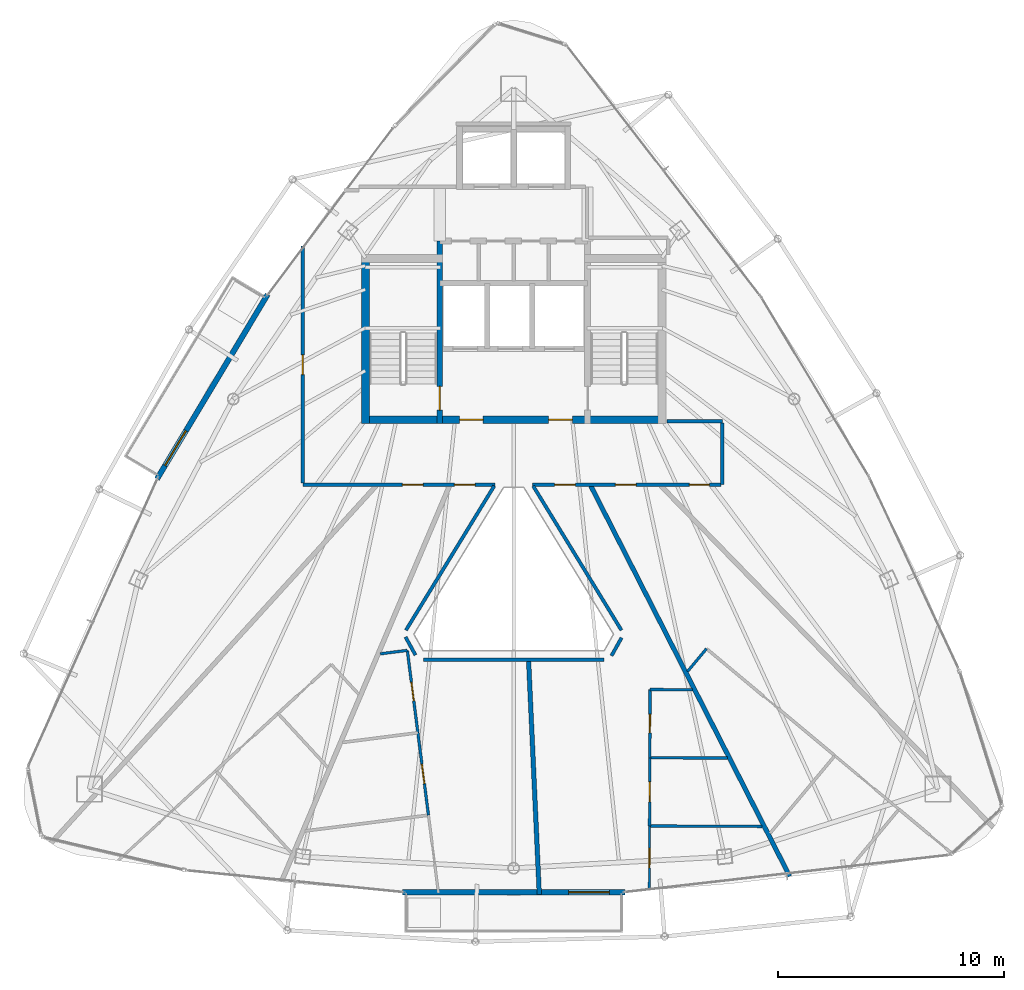
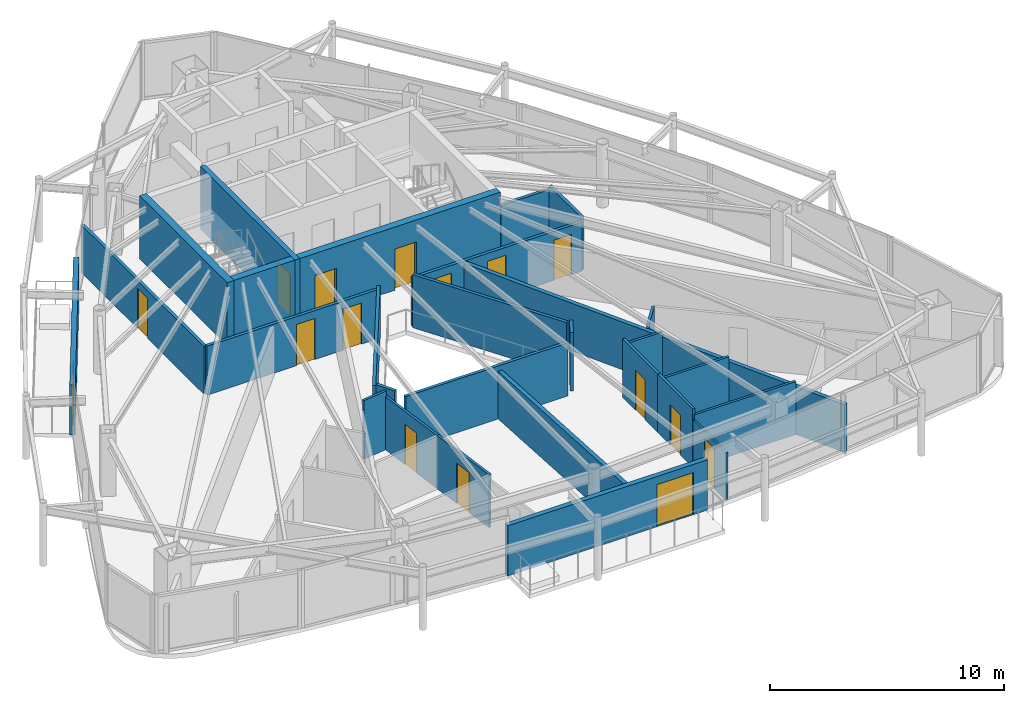
# One storey, part 26 of 30: 27 walls, 16 doors, 16 openings.
"""IFC4 building model written with IfcOpenShell, lengths in metres."""

from ifc_helpers import new_model, si_unit, direction, frame, frame_2d, origin, place, context, subcontext, project, spatial, rectangle, extrude, material, layer, layer_set, type_object, element, fill, save


model = new_model("IFC4")

# Units and contexts
model_context = context("Model", 3, precision=1e-05, world=origin(), true_north=direction((0.0, 1.0)))
body_context = subcontext(model_context, "Body", "Model", "MODEL_VIEW")
ifc_project = project(units=[si_unit("LENGTHUNIT", "METRE"), si_unit("AREAUNIT", "SQUARE_METRE"), si_unit("VOLUMEUNIT", "CUBIC_METRE"), si_unit("PLANEANGLEUNIT", "RADIAN"), si_unit("MASSUNIT", "GRAM", prefix="KILO")], contexts=[model_context])

# Site, building, storey
site_placement = place(None, origin())
site = spatial("IfcSite", under=ifc_project, at=site_placement, CompositionType="ELEMENT")
building_placement = place(site_placement, origin())
building = spatial("IfcBuilding", under=site, at=building_placement, Name="Orvanel Arch Residences", CompositionType="ELEMENT")
storey_placement = place(building_placement, frame((0.0, 0.0, 270.050048828125)))
storey = spatial("IfcBuildingStorey", under=building, at=storey_placement, Name="L77", CompositionType="ELEMENT", Elevation=270.050048828125)

# Wall, opening, door
ifc_material_1 = material(Name="Precast concrete N50 (50 MPa)", Category="concrete")
ifc_layer_1 = layer(ifc_material_1, 0.239990234375)
ifc_layer_set_1 = layer_set([ifc_layer_1], Name="Precast concrete N50 (50 MPa)")
wall_type_1 = type_object("IfcWallType", Name="EW-BAL-240", PredefinedType="SOLIDWALL", material=ifc_layer_set_1)
wall_1_placement = place(storey_placement, frame((22.093994140625, 32.279052734375, 0.0), z_axis=(0.0, 0.0, 1.0), x_axis=(-0.514303866757, -0.857608029719, 0.0)))
wall_1 = element("IfcWall", 1, at=wall_1_placement, inside=storey, type_object=wall_type_1, Name="L77 Balcony Threshold Wall Face 1", PredefinedType="SOLIDWALL", context=body_context, shape_type="SweptSolid", body=[
    extrude(rectangle(XDim=9.54296875, YDim=0.239990234375, at=frame_2d((4.771484375, 0.0))), origin(), (0.0, 0.0, 1.0), 2.6240234375),
])
opening_1_placement = place(wall_1_placement, frame((7.044921875, 0.0, 0.0)))
opening_1 = element("IfcOpeningElement", 2, at=opening_1_placement, cuts=wall_1, Name="Opening DB-180", PredefinedType="OPENING", context=body_context, shape_type="SweptSolid", body=[
    extrude(rectangle(XDim=1.800048828125, YDim=2.199951171875, at=frame_2d((0.89990234375, 1.10009765625))), frame((0.0, 0.1298828125, 0.0), z_axis=(0.0, -1.0, 0.0), x_axis=(1.0, 0.0, 0.0)), (0.0, 0.0, 1.0), 0.260009765625),
])
ifc_material_2 = material(Name="Bronze-anodised aluminium AA6063-T6", Category="aluminium")
door_type_1 = type_object("IfcDoorType", Name="DR-BAL-1800", OperationType="NOTDEFINED", PredefinedType="DOOR", material=ifc_material_2)
door_1_placement = place(opening_1_placement, origin())
door_1 = element("IfcDoor", 3, at=door_1_placement, inside=storey, type_object=door_type_1, Name="DR-L77-BAL-F1 L77 Planted Balcony Access Door Face 1", OperationType="SINGLE_SWING_LEFT", OverallHeight=2.199951171875, OverallWidth=1.800048828125, PredefinedType="DOOR", context=body_context, shape_type="SweptSolid", body=[
    extrude(rectangle(XDim=1.800048828125, YDim=2.199951171875, at=frame_2d((0.89990234375, 1.10009765625))), frame((0.0, 0.02490234375, 0.0), z_axis=(0.0, -1.0, 0.0), x_axis=(1.0, 0.0, 0.0)), (0.0, 0.0, 1.0), 0.050048828125),
])
fill(opening_1, door_1)

wall_2_placement = place(storey_placement, frame((28.06201171875, 5.77392578125, 0.0), z_axis=(0.0, 0.0, 1.0), x_axis=(1.0, 0.0, 0.0)))
wall_2 = element("IfcWall", 4, at=wall_2_placement, inside=storey, type_object=wall_type_1, Name="L77 Balcony Threshold Wall Face 2", PredefinedType="SOLIDWALL", context=body_context, shape_type="SweptSolid", body=[
    extrude(rectangle(XDim=9.8759765625, YDim=0.239990234375, at=frame_2d((4.93798828125, 0.0))), origin(), (0.0, 0.0, 1.0), 2.6240234375),
])
opening_2_placement = place(wall_2_placement, frame((7.37890625, 0.0, 0.0)))
opening_2 = element("IfcOpeningElement", 5, at=opening_2_placement, cuts=wall_2, Name="Opening DB-180", PredefinedType="OPENING", context=body_context, shape_type="SweptSolid", body=[
    extrude(rectangle(XDim=1.800048828125, YDim=2.199951171875, at=frame_2d((0.89990234375, 1.10009765625))), frame((0.0, 0.1298828125, 0.0), z_axis=(0.0, -1.0, 0.0), x_axis=(1.0, 0.0, 0.0)), (0.0, 0.0, 1.0), 0.260009765625),
])
door_2_placement = place(opening_2_placement, origin())
door_2 = element("IfcDoor", 6, at=door_2_placement, inside=storey, type_object=door_type_1, Name="DR-L77-BAL-F2 L77 Planted Balcony Access Door Face 2", OperationType="SINGLE_SWING_RIGHT", OverallHeight=2.199951171875, OverallWidth=1.800048828125, PredefinedType="DOOR", context=body_context, shape_type="SweptSolid", body=[
    extrude(rectangle(XDim=1.800048828125, YDim=2.199951171875, at=frame_2d((0.89990234375, 1.10009765625))), frame((0.0, 0.02490234375, 0.0), z_axis=(0.0, -1.0, 0.0), x_axis=(1.0, 0.0, 0.0)), (0.0, 0.0, 1.0), 0.050048828125),
])
fill(opening_2, door_2)

ifc_material_3 = material(Name="Concrete N50 (50 MPa)", Category="concrete")
ifc_layer_2 = layer(ifc_material_3, 0.25)
ifc_layer_set_2 = layer_set([ifc_layer_2], Name="Concrete N50 (50 MPa)")
wall_type_2 = type_object("IfcWallType", Name="SW-CORE-250", PredefinedType="SHEAR", material=ifc_layer_set_2)
wall_3_placement = place(storey_placement, frame((29.72509765625, 26.550048828125, 0.0), z_axis=(0.0, 0.0, 1.0), x_axis=(0.0, 1.0, 0.0)))
wall_3 = element("IfcWall", 7, at=wall_3_placement, inside=storey, type_object=wall_type_2, Name="L77 West Inner Core Spine Shear Wall", PredefinedType="SHEAR", context=body_context, shape_type="SweptSolid", body=[
    extrude(rectangle(XDim=8.099853515625, YDim=0.25, at=frame_2d((4.0498046875, 0.0))), origin(), (0.0, 0.0, 1.0), 3.300048828125),
])
opening_3_placement = place(wall_3_placement, frame((0.60009765625, 0.0, 0.0)))
opening_3 = element("IfcOpeningElement", 8, at=opening_3_placement, cuts=wall_3, Name="Opening DF-120", PredefinedType="OPENING", context=body_context, shape_type="SweptSolid", body=[
    extrude(rectangle(XDim=1.050048828125, YDim=2.14990234375, at=frame_2d((0.52490234375, 1.074951171875))), frame((0.0, 0.135009765625, 0.0), z_axis=(0.0, -1.0, 0.0), x_axis=(1.0, 0.0, 0.0)), (0.0, 0.0, 1.0), 0.27001953125),
])
ifc_material_4 = material(Name="Galvanised steel fire-resisting door assembly", Category="steel")
door_type_2 = type_object("IfcDoorType", Name="DR-FD120-1050", OperationType="NOTDEFINED", PredefinedType="DOOR", material=ifc_material_4)
door_3_placement = place(opening_3_placement, origin())
door_3 = element("IfcDoor", 9, at=door_3_placement, inside=storey, type_object=door_type_2, Name="DR-L77-ST1 L77 Stair 1 Fire Door", OperationType="SINGLE_SWING_LEFT", OverallHeight=2.14990234375, OverallWidth=1.050048828125, PredefinedType="DOOR", context=body_context, shape_type="SweptSolid", body=[
    extrude(rectangle(XDim=1.050048828125, YDim=2.14990234375, at=frame_2d((0.52490234375, 1.074951171875))), frame((0.0, 0.02490234375, 0.0), z_axis=(0.0, -1.0, 0.0), x_axis=(1.0, 0.0, 0.0)), (0.0, 0.0, 1.0), 0.050048828125),
])
fill(opening_3, door_3)

# Wall, openings, doors
ifc_layer_3 = layer(ifc_material_3, 0.35009765625)
ifc_layer_set_3 = layer_set([ifc_layer_3], Name="Concrete N50 (50 MPa)")
wall_type_3 = type_object("IfcWallType", Name="SW-CORE-350", PredefinedType="SHEAR", material=ifc_layer_set_3)
wall_4_placement = place(storey_placement, frame((26.25, 26.72509765625, 0.0), z_axis=(0.0, 0.0, 1.0), x_axis=(1.0, 0.0, 0.0)))
wall_4 = element("IfcWall", 10, at=wall_4_placement, inside=storey, type_object=wall_type_3, Name="L77 South Core Shear Wall", PredefinedType="SHEAR", context=body_context, shape_type="SweptSolid", body=[
    extrude(rectangle(XDim=13.5, YDim=0.35009765625, at=frame_2d((6.75, 0.0))), origin(), (0.0, 0.0, 1.0), 3.300048828125),
])
opening_4_placement = place(wall_4_placement, frame((4.35009765625, 0.0, 0.0)))
opening_4 = element("IfcOpeningElement", 11, at=opening_4_placement, cuts=wall_4, Name="Opening DF-060", PredefinedType="OPENING", context=body_context, shape_type="SweptSolid", body=[
    extrude(rectangle(XDim=1.050048828125, YDim=2.14990234375, at=frame_2d((0.52490234375, 1.074951171875))), frame((0.0, 0.18505859375, 0.0), z_axis=(0.0, -1.0, 0.0), x_axis=(1.0, 0.0, 0.0)), (0.0, 0.0, 1.0), 0.3701171875),
])
opening_5_placement = place(wall_4_placement, frame((8.300048828125, 0.0, 0.0)))
opening_5 = element("IfcOpeningElement", 12, at=opening_5_placement, cuts=wall_4, Name="Opening DF-060", PredefinedType="OPENING", context=body_context, shape_type="SweptSolid", body=[
    extrude(rectangle(XDim=1.050048828125, YDim=2.14990234375, at=frame_2d((0.52490234375, 1.074951171875))), frame((0.0, 0.18505859375, 0.0), z_axis=(0.0, -1.0, 0.0), x_axis=(1.0, 0.0, 0.0)), (0.0, 0.0, 1.0), 0.3701171875),
])
door_type_3 = type_object("IfcDoorType", Name="DR-FD60-1050", OperationType="NOTDEFINED", PredefinedType="DOOR", material=ifc_material_4)
door_4_placement = place(opening_4_placement, origin())
door_4 = element("IfcDoor", 13, at=door_4_placement, inside=storey, type_object=door_type_3, Name="DR-L77-FFL-W L77 West Smoke Lobby Door", OperationType="SINGLE_SWING_LEFT", OverallHeight=2.14990234375, OverallWidth=1.050048828125, PredefinedType="DOOR", context=body_context, shape_type="SweptSolid", body=[
    extrude(rectangle(XDim=1.050048828125, YDim=2.14990234375, at=frame_2d((0.52490234375, 1.074951171875))), frame((0.0, 0.02490234375, 0.0), z_axis=(0.0, -1.0, 0.0), x_axis=(1.0, 0.0, 0.0)), (0.0, 0.0, 1.0), 0.050048828125),
])
fill(opening_4, door_4)
door_5_placement = place(opening_5_placement, origin())
door_5 = element("IfcDoor", 14, at=door_5_placement, inside=storey, type_object=door_type_3, Name="DR-L77-FFL-E L77 East Smoke Lobby Door", OperationType="SINGLE_SWING_RIGHT", OverallHeight=2.14990234375, OverallWidth=1.050048828125, PredefinedType="DOOR", context=body_context, shape_type="SweptSolid", body=[
    extrude(rectangle(XDim=1.050048828125, YDim=2.14990234375, at=frame_2d((0.52490234375, 1.074951171875))), frame((0.0, 0.02490234375, 0.0), z_axis=(0.0, -1.0, 0.0), x_axis=(1.0, 0.0, 0.0)), (0.0, 0.0, 1.0), 0.050048828125),
])
fill(opening_5, door_5)

# Wall
wall_5_placement = place(storey_placement, frame((26.425048828125, 26.550048828125, 0.0), z_axis=(0.0, 0.0, 1.0), x_axis=(0.0, 1.0, 0.0)))
element("IfcWall", 15, at=wall_5_placement, inside=storey, type_object=wall_type_3, Name="L77 West Stair Shear Wall", PredefinedType="SHEAR", context=body_context, shape_type="SweptSolid", body=[
    extrude(rectangle(XDim=7.5, YDim=0.35009765625, at=frame_2d((3.75, 0.0))), origin(), (0.0, 0.0, 1.0), 3.300048828125),
])

# Wall, openings, doors
ifc_material_5 = material(Name="Fire-rated plasterboard lined steel stud partition", Category="steel")
ifc_layer_4 = layer(ifc_material_5, 0.14990234375)
ifc_layer_set_4 = layer_set([ifc_layer_4], Name="Fire-rated plasterboard lined steel stud partition")
wall_type_4 = type_object("IfcWallType", Name="W-COR-150", PredefinedType="PARTITIONING", material=ifc_layer_set_4)
wall_6_placement = place(storey_placement, frame((32.16796875, 23.85009765625, 0.0), z_axis=(0.0, 0.0, 1.0), x_axis=(-1.0, 0.0, 0.0)))
wall_6 = element("IfcWall", 16, at=wall_6_placement, inside=storey, type_object=wall_type_4, Name="L77 Corridor Fire-Rated Partition", PredefinedType="PARTITIONING", context=body_context, shape_type="SweptSolid", body=[
    extrude(rectangle(XDim=8.51806640625, YDim=0.14990234375, at=frame_2d((4.259033203125, 0.0))), origin(), (0.0, 0.0, 1.0), 2.56494140625),
])
opening_6_placement = place(wall_6_placement, frame((3.18310546875, 0.0, 0.0)))
opening_6 = element("IfcOpeningElement", 17, at=opening_6_placement, cuts=wall_6, Name="Opening DA-092", PredefinedType="OPENING", context=body_context, shape_type="SweptSolid", body=[
    extrude(rectangle(XDim=0.919921875, YDim=2.14990234375, at=frame_2d((0.4599609375, 1.074951171875))), frame((0.0, 0.0849609375, 0.0), z_axis=(0.0, -1.0, 0.0), x_axis=(1.0, 0.0, 0.0)), (0.0, 0.0, 1.0), 0.169921875),
])
opening_7_placement = place(wall_6_placement, frame((0.882080078125, 0.0, 0.0)))
opening_7 = element("IfcOpeningElement", 18, at=opening_7_placement, cuts=wall_6, Name="Opening DA-092", PredefinedType="OPENING", context=body_context, shape_type="SweptSolid", body=[
    extrude(rectangle(XDim=0.919921875, YDim=2.14990234375, at=frame_2d((0.4599609375, 1.074951171875))), frame((0.0, 0.0849609375, 0.0), z_axis=(0.0, -1.0, 0.0), x_axis=(1.0, 0.0, 0.0)), (0.0, 0.0, 1.0), 0.169921875),
])
ifc_material_6 = material(Name="Solid-core European oak veneer fire door leaf", Category="wood")
door_type_4 = type_object("IfcDoorType", Name="DR-APT-920", OperationType="NOTDEFINED", PredefinedType="DOOR", material=ifc_material_6)
door_6_placement = place(opening_6_placement, origin())
door_6 = element("IfcDoor", 19, at=door_6_placement, inside=storey, type_object=door_type_4, Name="DR-L77-A-ENT L77 Studio A Entrance Door", OperationType="SINGLE_SWING_RIGHT", OverallHeight=2.14990234375, OverallWidth=0.919921875, PredefinedType="DOOR", context=body_context, shape_type="SweptSolid", body=[
    extrude(rectangle(XDim=0.919921875, YDim=2.14990234375, at=frame_2d((0.4599609375, 1.074951171875))), frame((0.0, 0.02490234375, 0.0), z_axis=(0.0, -1.0, 0.0), x_axis=(1.0, 0.0, 0.0)), (0.0, 0.0, 1.0), 0.050048828125),
])
fill(opening_6, door_6)
door_7_placement = place(opening_7_placement, origin())
door_7 = element("IfcDoor", 20, at=door_7_placement, inside=storey, type_object=door_type_4, Name="DR-L77-D-ENT L77 Studio D Entrance Door", OperationType="SINGLE_SWING_LEFT", OverallHeight=2.14990234375, OverallWidth=0.919921875, PredefinedType="DOOR", context=body_context, shape_type="SweptSolid", body=[
    extrude(rectangle(XDim=0.919921875, YDim=2.14990234375, at=frame_2d((0.4599609375, 1.074951171875))), frame((0.0, 0.02490234375, 0.0), z_axis=(0.0, -1.0, 0.0), x_axis=(1.0, 0.0, 0.0)), (0.0, 0.0, 1.0), 0.050048828125),
])
fill(opening_7, door_7)

# Wall, opening, door
wall_7_placement = place(storey_placement, frame((23.64990234375, 23.909912109375, 0.0), z_axis=(0.0, 0.0, 1.0), x_axis=(0.0, 1.0, 0.0)))
wall_7 = element("IfcWall", 21, at=wall_7_placement, inside=storey, type_object=wall_type_4, Name="L77 Corridor Fire-Rated Partition", PredefinedType="PARTITIONING", context=body_context, shape_type="SweptSolid", body=[
    extrude(rectangle(XDim=10.509033203125, YDim=0.14990234375, at=frame_2d((5.25439453125, 0.0))), origin(), (0.0, 0.0, 1.0), 2.491943359375),
])
opening_8_placement = place(wall_7_placement, frame((4.81396484375, 0.0, 0.0)))
opening_8 = element("IfcOpeningElement", 22, at=opening_8_placement, cuts=wall_7, Name="Opening DI-088", PredefinedType="OPENING", context=body_context, shape_type="SweptSolid", body=[
    extrude(rectangle(XDim=0.8798828125, YDim=2.10009765625, at=frame_2d((0.43994140625, 1.050048828125))), frame((0.0, 0.0849609375, 0.0), z_axis=(0.0, -1.0, 0.0), x_axis=(1.0, 0.0, 0.0)), (0.0, 0.0, 1.0), 0.169921875),
])
door_type_5 = type_object("IfcDoorType", Name="DR-INT-880", OperationType="NOTDEFINED", PredefinedType="DOOR", material=ifc_material_6)
door_8_placement = place(opening_8_placement, origin())
door_8 = element("IfcDoor", 23, at=door_8_placement, inside=storey, type_object=door_type_5, Name="DR-L77-CAR26-2 L77 Allied Health Consulting Suite 2 Door", OperationType="SINGLE_SWING_LEFT", OverallHeight=2.10009765625, OverallWidth=0.8798828125, PredefinedType="DOOR", context=body_context, shape_type="SweptSolid", body=[
    extrude(rectangle(XDim=0.8798828125, YDim=2.10009765625, at=frame_2d((0.43994140625, 1.050048828125))), frame((0.0, 0.02490234375, 0.0), z_axis=(0.0, -1.0, 0.0), x_axis=(1.0, 0.0, 0.0)), (0.0, 0.0, 1.0), 0.050048828125),
])
fill(opening_8, door_8)

# Walls
wall_8_placement = place(storey_placement, frame((39.7900390625, 26.64990234375, 0.0), z_axis=(0.0, 0.0, 1.0), x_axis=(1.0, 0.0, 0.0)))
element("IfcWall", 24, at=wall_8_placement, inside=storey, type_object=wall_type_4, Name="L77 Corridor Fire-Rated Partition", PredefinedType="PARTITIONING", context=body_context, shape_type="SweptSolid", body=[
    extrude(rectangle(XDim=2.4599609375, YDim=0.14990234375, at=frame_2d((1.22998046875, 0.0))), origin(), (0.0, 0.0, 1.0), 2.56494140625),
])
wall_9_placement = place(storey_placement, frame((42.25, 26.590087890625, 0.0), z_axis=(0.0, 0.0, 1.0), x_axis=(0.0, -1.0, 0.0)))
element("IfcWall", 25, at=wall_9_placement, inside=storey, type_object=wall_type_4, Name="L77 Corridor Fire-Rated Partition", PredefinedType="PARTITIONING", context=body_context, shape_type="SweptSolid", body=[
    extrude(rectangle(XDim=2.739990234375, YDim=0.14990234375, at=frame_2d((1.3701171875, 0.0))), origin(), (0.0, 0.0, 1.0), 2.77294921875),
])

# Wall, openings, doors
wall_10_placement = place(storey_placement, frame((42.18994140625, 23.85009765625, 0.0), z_axis=(0.0, 0.0, 1.0), x_axis=(-1.0, 0.0, 0.0)))
wall_10 = element("IfcWall", 26, at=wall_10_placement, inside=storey, type_object=wall_type_4, Name="L77 Corridor Fire-Rated Partition", PredefinedType="PARTITIONING", context=body_context, shape_type="SweptSolid", body=[
    extrude(rectangle(XDim=8.35791015625, YDim=0.14990234375, at=frame_2d((4.178955078125, 0.0))), origin(), (0.0, 0.0, 1.0), 2.56494140625),
])
opening_9_placement = place(wall_10_placement, frame((0.52001953125, 0.0, 0.0)))
opening_9 = element("IfcOpeningElement", 27, at=opening_9_placement, cuts=wall_10, Name="Opening DI-088", PredefinedType="OPENING", context=body_context, shape_type="SweptSolid", body=[
    extrude(rectangle(XDim=0.8798828125, YDim=2.10009765625, at=frame_2d((0.43994140625, 1.050048828125))), frame((0.0, 0.0849609375, 0.0), z_axis=(0.0, -1.0, 0.0), x_axis=(1.0, 0.0, 0.0)), (0.0, 0.0, 1.0), 0.169921875),
])
opening_10_placement = place(wall_10_placement, frame((3.757080078125, 0.0, 0.0)))
opening_10 = element("IfcOpeningElement", 28, at=opening_10_placement, cuts=wall_10, Name="Opening DA-092", PredefinedType="OPENING", context=body_context, shape_type="SweptSolid", body=[
    extrude(rectangle(XDim=0.919921875, YDim=2.14990234375, at=frame_2d((0.4599609375, 1.074951171875))), frame((0.0, 0.0849609375, 0.0), z_axis=(0.0, -1.0, 0.0), x_axis=(1.0, 0.0, 0.0)), (0.0, 0.0, 1.0), 0.169921875),
])
opening_11_placement = place(wall_10_placement, frame((6.4560546875, 0.0, 0.0)))
opening_11 = element("IfcOpeningElement", 29, at=opening_11_placement, cuts=wall_10, Name="Opening DA-092", PredefinedType="OPENING", context=body_context, shape_type="SweptSolid", body=[
    extrude(rectangle(XDim=0.919921875, YDim=2.14990234375, at=frame_2d((0.4599609375, 1.074951171875))), frame((0.0, 0.0849609375, 0.0), z_axis=(0.0, -1.0, 0.0), x_axis=(1.0, 0.0, 0.0)), (0.0, 0.0, 1.0), 0.169921875),
])
door_9_placement = place(opening_10_placement, origin())
door_9 = element("IfcDoor", 30, at=door_9_placement, inside=storey, type_object=door_type_4, Name="DR-L77-B-ENT L77 Studio B Entrance Door", OperationType="SINGLE_SWING_LEFT", OverallHeight=2.14990234375, OverallWidth=0.919921875, PredefinedType="DOOR", context=body_context, shape_type="SweptSolid", body=[
    extrude(rectangle(XDim=0.919921875, YDim=2.14990234375, at=frame_2d((0.4599609375, 1.074951171875))), frame((0.0, 0.02490234375, 0.0), z_axis=(0.0, -1.0, 0.0), x_axis=(1.0, 0.0, 0.0)), (0.0, 0.0, 1.0), 0.050048828125),
])
fill(opening_10, door_9)
door_10_placement = place(opening_11_placement, origin())
door_10 = element("IfcDoor", 31, at=door_10_placement, inside=storey, type_object=door_type_4, Name="DR-L77-C-ENT L77 Studio C Entrance Door", OperationType="SINGLE_SWING_RIGHT", OverallHeight=2.14990234375, OverallWidth=0.919921875, PredefinedType="DOOR", context=body_context, shape_type="SweptSolid", body=[
    extrude(rectangle(XDim=0.919921875, YDim=2.14990234375, at=frame_2d((0.4599609375, 1.074951171875))), frame((0.0, 0.02490234375, 0.0), z_axis=(0.0, -1.0, 0.0), x_axis=(1.0, 0.0, 0.0)), (0.0, 0.0, 1.0), 0.050048828125),
])
fill(opening_11, door_10)
door_11_placement = place(opening_9_placement, origin())
door_11 = element("IfcDoor", 32, at=door_11_placement, inside=storey, type_object=door_type_5, Name="DR-L77-CAR26-1 L77 Allied Health Consulting Suite 1 Door", OperationType="SINGLE_SWING_LEFT", OverallHeight=2.10009765625, OverallWidth=0.8798828125, PredefinedType="DOOR", context=body_context, shape_type="SweptSolid", body=[
    extrude(rectangle(XDim=0.8798828125, YDim=2.10009765625, at=frame_2d((0.43994140625, 1.050048828125))), frame((0.0, 0.02490234375, 0.0), z_axis=(0.0, -1.0, 0.0), x_axis=(1.0, 0.0, 0.0)), (0.0, 0.0, 1.0), 0.050048828125),
])
fill(opening_9, door_11)

# Walls
wall_11_placement = place(storey_placement, frame((33.863037109375, 23.7900390625, 0.0), z_axis=(0.0, 0.0, 1.0), x_axis=(0.521913594497, -0.852998358661, 0.0)))
element("IfcWall", 33, at=wall_11_placement, inside=storey, type_object=wall_type_4, Name="L77 Atrium Overlook Glazed Partition", PredefinedType="PARTITIONING", context=body_context, shape_type="SweptSolid", body=[
    extrude(rectangle(XDim=7.4970703125, YDim=0.14990234375, at=frame_2d((3.74853515625, 0.0))), origin(), (0.0, 0.0, 1.0), 2.77294921875),
])
wall_12_placement = place(storey_placement, frame((37.781982421875, 17.05908203125, 0.0), z_axis=(0.0, 0.0, 1.0), x_axis=(-0.489033415255, -0.872265050752, 0.0)))
element("IfcWall", 34, at=wall_12_placement, inside=storey, type_object=wall_type_4, Name="L77 Atrium Overlook Glazed Partition", PredefinedType="PARTITIONING", context=body_context, shape_type="SweptSolid", body=[
    extrude(rectangle(XDim=0.916015625, YDim=0.14990234375, at=frame_2d((0.4580078125, 0.0))), origin(), (0.0, 0.0, 1.0), 3.06005859375),
])
wall_13_placement = place(storey_placement, frame((37.006103515625, 16.087890625, 0.0), z_axis=(0.0, 0.0, 1.0), x_axis=(-1.0, 0.0, 0.0)))
element("IfcWall", 35, at=wall_13_placement, inside=storey, type_object=wall_type_4, Name="L77 Atrium Overlook Glazed Partition", PredefinedType="PARTITIONING", context=body_context, shape_type="SweptSolid", body=[
    extrude(rectangle(XDim=8.01220703125, YDim=0.14990234375, at=frame_2d((4.006103515625, 0.0))), origin(), (0.0, 0.0, 1.0), 2.77294921875),
])
wall_14_placement = place(storey_placement, frame((28.64599609375, 16.2919921875, 0.0), z_axis=(0.0, 0.0, 1.0), x_axis=(-0.482133469033, 0.876097778811, 0.0)))
element("IfcWall", 36, at=wall_14_placement, inside=storey, type_object=wall_type_4, Name="L77 Atrium Overlook Glazed Partition", PredefinedType="PARTITIONING", context=body_context, shape_type="SweptSolid", body=[
    extrude(rectangle(XDim=0.91650390625, YDim=0.14990234375, at=frame_2d((0.458251953125, 0.0))), origin(), (0.0, 0.0, 1.0), 3.06005859375),
])
wall_15_placement = place(storey_placement, frame((28.22412109375, 17.39501953125, 0.0), z_axis=(0.0, 0.0, 1.0), x_axis=(0.521913594497, 0.852998358661, 0.0)))
element("IfcWall", 37, at=wall_15_placement, inside=storey, type_object=wall_type_4, Name="L77 Atrium Overlook Glazed Partition", PredefinedType="PARTITIONING", context=body_context, shape_type="SweptSolid", body=[
    extrude(rectangle(XDim=7.4970703125, YDim=0.14990234375, at=frame_2d((3.74853515625, 0.0))), origin(), (0.0, 0.0, 1.0), 2.77294921875),
])
ifc_layer_5 = layer(ifc_material_5, 0.199951171875)
ifc_layer_set_5 = layer_set([ifc_layer_5], Name="Fire-rated plasterboard lined steel stud partition")
wall_type_5 = type_object("IfcWallType", Name="W-DEM-200", PredefinedType="PARTITIONING", material=ifc_layer_set_5)
wall_16_placement = place(storey_placement, frame((45.236083984375, 6.486083984375, 0.0), z_axis=(0.0, 0.0, 1.0), x_axis=(-0.454004119661, 0.890999584361, 0.0)))
element("IfcWall", 38, at=wall_16_placement, inside=storey, type_object=wall_type_5, Name="L77 Inter-Tenancy Acoustic Demising Wall", PredefinedType="PARTITIONING", context=body_context, shape_type="SweptSolid", body=[
    extrude(rectangle(XDim=19.4208984375, YDim=0.199951171875, at=frame_2d((9.71044921875, 0.0))), origin(), (0.0, 0.0, 1.0), 2.491943359375),
])
wall_17_placement = place(storey_placement, frame((34.135009765625, 5.68408203125, 0.0), z_axis=(0.0, 0.0, 1.0), x_axis=(-0.045669685987, 0.998956595545, 0.0)))
element("IfcWall", 39, at=wall_17_placement, inside=storey, type_object=wall_type_5, Name="L77 Inter-Tenancy Acoustic Demising Wall", PredefinedType="PARTITIONING", context=body_context, shape_type="SweptSolid", body=[
    extrude(rectangle(XDim=10.354736328125, YDim=0.199951171875, at=frame_2d((5.17724609375, 0.0))), origin(), (0.0, 0.0, 1.0), 2.491943359375),
])

# Wall, opening, door
ifc_material_7 = material(Name="Acoustic plasterboard lined twin-stud partition", Category="gypsum")
ifc_layer_6 = layer(ifc_material_7, 0.10009765625)
ifc_layer_set_6 = layer_set([ifc_layer_6], Name="Acoustic plasterboard lined twin-stud partition")
wall_type_6 = type_object("IfcWallType", Name="W-INT-100", PredefinedType="PARTITIONING", material=ifc_layer_set_6)
wall_18_placement = place(storey_placement, frame((39.02392578125, 8.715087890625, 0.0), z_axis=(0.0, 0.0, 1.0), x_axis=(-0.003534460681, -0.999993753774, 0.0)))
wall_18 = element("IfcWall", 40, at=wall_18_placement, inside=storey, type_object=wall_type_6, Name="L77 Studio C Internal Partition", PredefinedType="PARTITIONING", context=body_context, shape_type="SweptSolid", body=[
    extrude(rectangle(XDim=2.83203125, YDim=0.10009765625, at=frame_2d((1.416015625, 0.0))), origin(), (0.0, 0.0, 1.0), 2.491943359375),
])
opening_12_placement = place(wall_18_placement, frame((0.97607421875, 0.0, 0.0)))
opening_12 = element("IfcOpeningElement", 41, at=opening_12_placement, cuts=wall_18, Name="Opening DI-088", PredefinedType="OPENING", context=body_context, shape_type="SweptSolid", body=[
    extrude(rectangle(XDim=0.8798828125, YDim=2.10009765625, at=frame_2d((0.43994140625, 1.050048828125))), frame((0.0, 0.06005859375, 0.0), z_axis=(0.0, -1.0, 0.0), x_axis=(1.0, 0.0, 0.0)), (0.0, 0.0, 1.0), 0.1201171875),
])
door_12_placement = place(opening_12_placement, origin())
door_12 = element("IfcDoor", 42, at=door_12_placement, inside=storey, type_object=door_type_5, Name="DR-L77-C-RET1 L77 Studio C Atelier Craft Showroom 1 Door", OperationType="SINGLE_SWING_LEFT", OverallHeight=2.10009765625, OverallWidth=0.8798828125, PredefinedType="DOOR", context=body_context, shape_type="SweptSolid", body=[
    extrude(rectangle(XDim=0.8798828125, YDim=2.10009765625, at=frame_2d((0.43994140625, 1.050048828125))), frame((0.0, 0.02490234375, 0.0), z_axis=(0.0, -1.0, 0.0), x_axis=(1.0, 0.0, 0.0)), (0.0, 0.0, 1.0), 0.050048828125),
])
fill(opening_12, door_12)

# Walls
ifc_layer_7 = layer(ifc_material_7, 0.1201171875)
ifc_layer_set_7 = layer_set([ifc_layer_7], Name="Acoustic plasterboard lined twin-stud partition")
wall_type_7 = type_object("IfcWallType", Name="W-WET-120", PredefinedType="PARTITIONING", material=ifc_layer_set_7)
wall_19_placement = place(storey_placement, frame((41.549072265625, 16.575927734375, 0.0), z_axis=(0.0, 0.0, 1.0), x_axis=(-0.640858814593, -0.767658765181, 0.0)))
element("IfcWall", 43, at=wall_19_placement, inside=storey, type_object=wall_type_7, Name="L77 Studio B Bathroom Partition", PredefinedType="PARTITIONING", context=body_context, shape_type="SweptSolid", body=[
    extrude(rectangle(XDim=1.31689453125, YDim=0.1201171875, at=frame_2d((0.658447265625, 0.0))), origin(), (0.0, 0.0, 1.0), 2.77294921875),
])
wall_20_placement = place(storey_placement, frame((40.926025390625, 14.757080078125, 0.0), z_axis=(0.0, 0.0, 1.0), x_axis=(-0.999993390212, 0.00363586741, 0.0)))
element("IfcWall", 44, at=wall_20_placement, inside=storey, type_object=wall_type_7, Name="L77 Studio C Bathroom Partition", PredefinedType="PARTITIONING", context=body_context, shape_type="SweptSolid", body=[
    extrude(rectangle(XDim=1.880126953125, YDim=0.1201171875, at=frame_2d((0.93994140625, 0.0))), origin(), (0.0, 0.0, 1.0), 2.77294921875),
])

# Wall, opening, door
wall_21_placement = place(storey_placement, frame((39.0458984375, 14.763916015625, 0.0), z_axis=(0.0, 0.0, 1.0), x_axis=(-0.003633110206, -0.999993400233, 0.0)))
wall_21 = element("IfcWall", 45, at=wall_21_placement, inside=storey, type_object=wall_type_7, Name="L77 Studio C Bathroom Partition", PredefinedType="PARTITIONING", context=body_context, shape_type="SweptSolid", body=[
    extrude(rectangle(XDim=3.02392578125, YDim=0.1201171875, at=frame_2d((1.511962890625, 0.0))), origin(), (0.0, 0.0, 1.0), 3.06005859375),
])
opening_13_placement = place(wall_21_placement, frame((1.10205078125, 0.0, 0.0)))
opening_13 = element("IfcOpeningElement", 46, at=opening_13_placement, cuts=wall_21, Name="Opening DW-082", PredefinedType="OPENING", context=body_context, shape_type="SweptSolid", body=[
    extrude(rectangle(XDim=0.820068359375, YDim=2.10009765625, at=frame_2d((0.41015625, 1.050048828125))), frame((0.0, 0.070068359375, 0.0), z_axis=(0.0, -1.0, 0.0), x_axis=(1.0, 0.0, 0.0)), (0.0, 0.0, 1.0), 0.14013671875),
])
door_type_6 = type_object("IfcDoorType", Name="DR-WET-820", OperationType="NOTDEFINED", PredefinedType="DOOR", material=ifc_material_6)
door_13_placement = place(opening_13_placement, origin())
door_13 = element("IfcDoor", 47, at=door_13_placement, inside=storey, type_object=door_type_6, Name="DR-L77-C-BATH L77 Studio C Bathroom Door", OperationType="SINGLE_SWING_RIGHT", OverallHeight=2.10009765625, OverallWidth=0.820068359375, PredefinedType="DOOR", context=body_context, shape_type="SweptSolid", body=[
    extrude(rectangle(XDim=0.820068359375, YDim=2.10009765625, at=frame_2d((0.41015625, 1.050048828125))), frame((0.0, 0.02490234375, 0.0), z_axis=(0.0, -1.0, 0.0), x_axis=(1.0, 0.0, 0.0)), (0.0, 0.0, 1.0), 0.050048828125),
])
fill(opening_13, door_13)

wall_22_placement = place(storey_placement, frame((39.034912109375, 11.739990234375, 0.0), z_axis=(0.0, 0.0, 1.0), x_axis=(-0.003631937304, -0.999993404494, 0.0)))
wall_22 = element("IfcWall", 48, at=wall_22_placement, inside=storey, type_object=wall_type_7, Name="L77 Studio C Internal Partition", PredefinedType="PARTITIONING", context=body_context, shape_type="SweptSolid", body=[
    extrude(rectangle(XDim=3.02490234375, YDim=0.1201171875, at=frame_2d((1.512451171875, 0.0))), origin(), (0.0, 0.0, 1.0), 3.06005859375),
])
opening_14_placement = place(wall_22_placement, frame((1.072998046875, 0.0, 0.0)))
opening_14 = element("IfcOpeningElement", 49, at=opening_14_placement, cuts=wall_22, Name="Opening DI-088", PredefinedType="OPENING", context=body_context, shape_type="SweptSolid", body=[
    extrude(rectangle(XDim=0.8798828125, YDim=2.10009765625, at=frame_2d((0.43994140625, 1.050048828125))), frame((0.0, 0.070068359375, 0.0), z_axis=(0.0, -1.0, 0.0), x_axis=(1.0, 0.0, 0.0)), (0.0, 0.0, 1.0), 0.14013671875),
])
door_14_placement = place(opening_14_placement, origin())
door_14 = element("IfcDoor", 50, at=door_14_placement, inside=storey, type_object=door_type_5, Name="DR-L77-C-KIT L77 Studio C Kitchenette Door", OperationType="SINGLE_SWING_LEFT", OverallHeight=2.10009765625, OverallWidth=0.8798828125, PredefinedType="DOOR", context=body_context, shape_type="SweptSolid", body=[
    extrude(rectangle(XDim=0.8798828125, YDim=2.10009765625, at=frame_2d((0.43994140625, 1.050048828125))), frame((0.0, 0.02490234375, 0.0), z_axis=(0.0, -1.0, 0.0), x_axis=(1.0, 0.0, 0.0)), (0.0, 0.0, 1.0), 0.050048828125),
])
fill(opening_14, door_14)

# Walls
wall_23_placement = place(storey_placement, frame((42.469970703125, 11.72705078125, 0.0), z_axis=(0.0, 0.0, 1.0), x_axis=(-0.999992905383, 0.003766853162, 0.0)))
element("IfcWall", 51, at=wall_23_placement, inside=storey, type_object=wall_type_7, Name="L77 Studio C Bathroom Partition", PredefinedType="PARTITIONING", context=body_context, shape_type="SweptSolid", body=[
    extrude(rectangle(XDim=3.43505859375, YDim=0.1201171875, at=frame_2d((1.717529296875, 0.0))), origin(), (0.0, 0.0, 1.0), 2.77294921875),
])
wall_24_placement = place(storey_placement, frame((44.013916015625, 8.697021484375, 0.0), z_axis=(0.0, 0.0, 1.0), x_axis=(-0.999993445948, 0.003620505651, 0.0)))
element("IfcWall", 52, at=wall_24_placement, inside=storey, type_object=wall_type_7, Name="L77 Studio C Internal Partition", PredefinedType="PARTITIONING", context=body_context, shape_type="SweptSolid", body=[
    extrude(rectangle(XDim=4.989990234375, YDim=0.1201171875, at=frame_2d((2.4951171875, 0.0))), origin(), (0.0, 0.0, 1.0), 2.77294921875),
])

# Wall, opening, door
wall_25_placement = place(storey_placement, frame((28.7529296875, 12.847900390625, 0.0), z_axis=(0.0, 0.0, 1.0), x_axis=(-0.127077358501, 0.991892809207, 0.0)))
wall_25 = element("IfcWall", 53, at=wall_25_placement, inside=storey, type_object=wall_type_7, Name="L77 Studio D Bathroom Partition", PredefinedType="PARTITIONING", context=body_context, shape_type="SweptSolid", body=[
    extrude(rectangle(XDim=3.682861328125, YDim=0.1201171875, at=frame_2d((1.84130859375, 0.0))), origin(), (0.0, 0.0, 1.0), 2.77294921875),
])
opening_15_placement = place(wall_25_placement, frame((1.430908203125, 0.0, 0.0)))
opening_15 = element("IfcOpeningElement", 54, at=opening_15_placement, cuts=wall_25, Name="Opening DW-082", PredefinedType="OPENING", context=body_context, shape_type="SweptSolid", body=[
    extrude(rectangle(XDim=0.820068359375, YDim=2.10009765625, at=frame_2d((0.41015625, 1.050048828125))), frame((0.0, 0.070068359375, 0.0), z_axis=(0.0, -1.0, 0.0), x_axis=(1.0, 0.0, 0.0)), (0.0, 0.0, 1.0), 0.14013671875),
])
door_15_placement = place(opening_15_placement, origin())
door_15 = element("IfcDoor", 55, at=door_15_placement, inside=storey, type_object=door_type_6, Name="DR-L77-D-BATH L77 Studio D Bathroom Door", OperationType="SINGLE_SWING_RIGHT", OverallHeight=2.10009765625, OverallWidth=0.820068359375, PredefinedType="DOOR", context=body_context, shape_type="SweptSolid", body=[
    extrude(rectangle(XDim=0.820068359375, YDim=2.10009765625, at=frame_2d((0.41015625, 1.050048828125))), frame((0.0, 0.02490234375, 0.0), z_axis=(0.0, -1.0, 0.0), x_axis=(1.0, 0.0, 0.0)), (0.0, 0.0, 1.0), 0.050048828125),
])
fill(opening_15, door_15)

# Wall
wall_26_placement = place(storey_placement, frame((28.284912109375, 16.5009765625, 0.0), z_axis=(0.0, 0.0, 1.0), x_axis=(-0.991859459137, -0.127337399535, 0.0)))
element("IfcWall", 56, at=wall_26_placement, inside=storey, type_object=wall_type_7, Name="L77 Studio D Bathroom Partition", PredefinedType="PARTITIONING", context=body_context, shape_type="SweptSolid", body=[
    extrude(rectangle(XDim=1.209716796875, YDim=0.1201171875, at=frame_2d((0.60498046875, 0.0))), origin(), (0.0, 0.0, 1.0), 3.06005859375),
])

# Wall, opening, door
wall_27_placement = place(storey_placement, frame((29.221923828125, 9.195068359375, 0.0), z_axis=(0.0, 0.0, 1.0), x_axis=(-0.127346594916, 0.991858278568, 0.0)))
wall_27 = element("IfcWall", 57, at=wall_27_placement, inside=storey, type_object=wall_type_7, Name="L77 Studio D Internal Partition", PredefinedType="PARTITIONING", context=body_context, shape_type="SweptSolid", body=[
    extrude(rectangle(XDim=3.682861328125, YDim=0.1201171875, at=frame_2d((1.84130859375, 0.0))), origin(), (0.0, 0.0, 1.0), 2.77294921875),
])
opening_16_placement = place(wall_27_placement, frame((1.40087890625, 0.0, 0.0)))
opening_16 = element("IfcOpeningElement", 58, at=opening_16_placement, cuts=wall_27, Name="Opening DI-088", PredefinedType="OPENING", context=body_context, shape_type="SweptSolid", body=[
    extrude(rectangle(XDim=0.8798828125, YDim=2.10009765625, at=frame_2d((0.43994140625, 1.050048828125))), frame((0.0, 0.070068359375, 0.0), z_axis=(0.0, -1.0, 0.0), x_axis=(1.0, 0.0, 0.0)), (0.0, 0.0, 1.0), 0.14013671875),
])
door_16_placement = place(opening_16_placement, origin())
door_16 = element("IfcDoor", 59, at=door_16_placement, inside=storey, type_object=door_type_5, Name="DR-L77-D-KIT L77 Studio D Kitchenette Door", OperationType="SINGLE_SWING_LEFT", OverallHeight=2.10009765625, OverallWidth=0.8798828125, PredefinedType="DOOR", context=body_context, shape_type="SweptSolid", body=[
    extrude(rectangle(XDim=0.8798828125, YDim=2.10009765625, at=frame_2d((0.43994140625, 1.050048828125))), frame((0.0, 0.02490234375, 0.0), z_axis=(0.0, -1.0, 0.0), x_axis=(1.0, 0.0, 0.0)), (0.0, 0.0, 1.0), 0.050048828125),
])
fill(opening_16, door_16)

save(model, "model.ifc")
